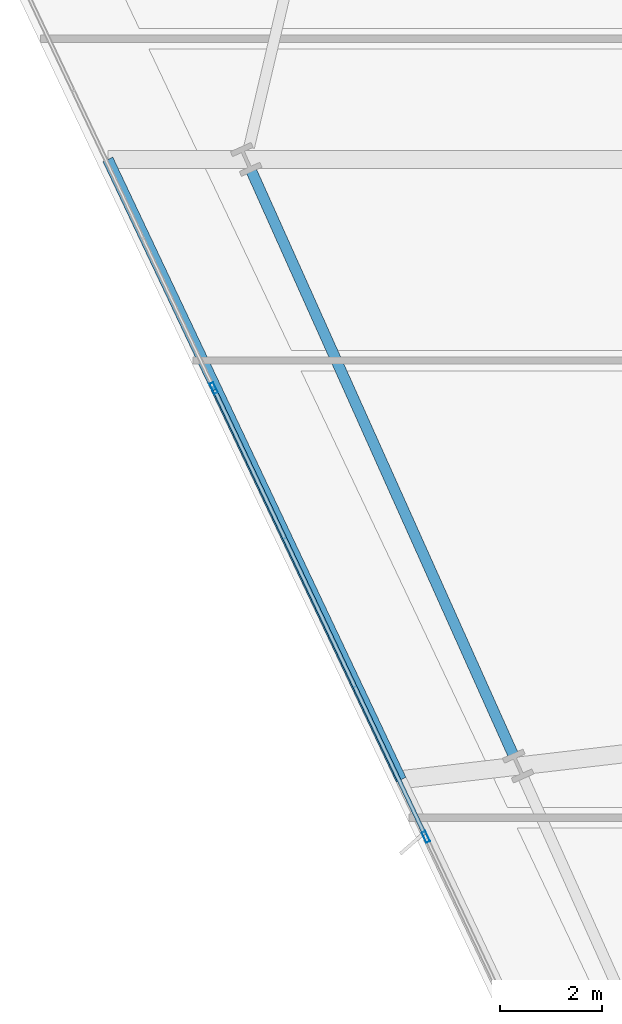
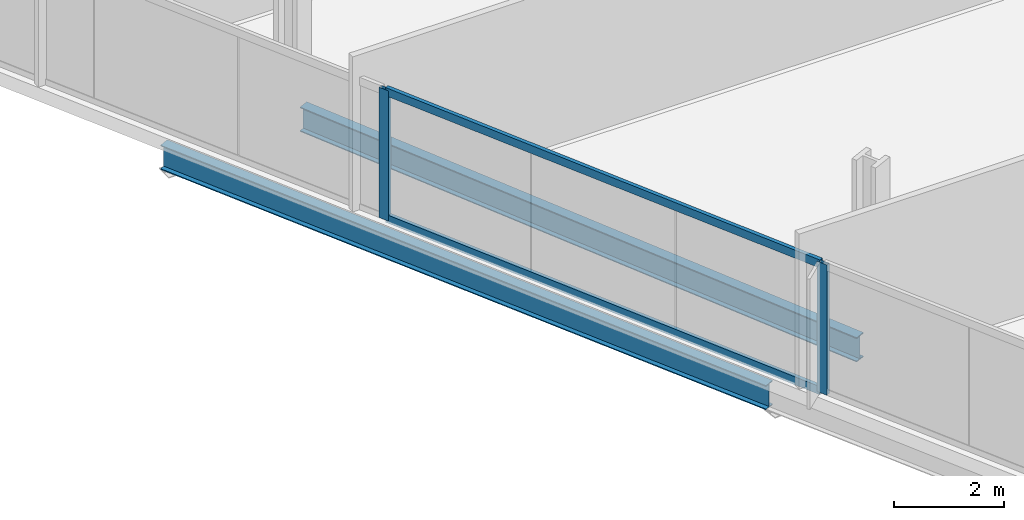
# One storey, part 5 of 34: 4 members, 2 beams, 1 element without a shape of its own.
"""IFC4 building model written with IfcOpenShell, lengths in metres."""

from ifc_helpers import new_model, si_unit, direction, frame, origin, origin_2d, place, context, subcontext, project, spatial, hollow_rectangle, i_section, extrude, material, material_profile, profile_set, type_object, element, aggregate, save


model = new_model("IFC4")

# Units and contexts
model_context = context("Model", 3, precision=1e-05, world=origin(), true_north=direction((0.0, 1.0)))
body_context = subcontext(model_context, "Body", "Model", "MODEL_VIEW")
ifc_project = project(units=[si_unit("LENGTHUNIT", "METRE"), si_unit("AREAUNIT", "SQUARE_METRE"), si_unit("VOLUMEUNIT", "CUBIC_METRE"), si_unit("PLANEANGLEUNIT", "RADIAN"), si_unit("MASSUNIT", "GRAM", prefix="KILO")], contexts=[model_context])

# Site, building, storey
site_placement = place(None, origin())
site = spatial("IfcSite", under=ifc_project, at=site_placement, CompositionType="ELEMENT")
building_placement = place(site_placement, origin())
building = spatial("IfcBuilding", under=site, at=building_placement, Name="Haldenkirk Collegiate Tower", CompositionType="ELEMENT")
storey_placement = place(building_placement, frame((0.0, 0.0, 112.949951171875)))
storey = spatial("IfcBuildingStorey", under=building, at=storey_placement, Name="L27", CompositionType="ELEMENT", Elevation=112.949951171875)

# Beams
ifc_material_1 = material(Name="Steel ASTM A992 Grade 50", Category="steel")
ifc_material_profile_1 = material_profile(ifc_material_1, i_section(OverallWidth=0.2119140625, OverallDepth=0.5439453125, WebThickness=0.01318359375, FlangeThickness=0.021240234375, at=origin_2d()), Name="W21X83")
ifc_profile_set_1 = profile_set([ifc_material_profile_1], Name="Steel ASTM A992 Grade 50")
beam_type = type_object("IfcBeamType", Name="BM-SPANDREL-W21X83", PredefinedType="SPANDREL", material=ifc_profile_set_1)
beam_1_placement = place(storey_placement, frame((9.418212890625, 28.212890625, -0.572021484375), z_axis=(0.409115233697, -0.912482726169, 0.0), x_axis=(0.912482726169, 0.409115233697, 0.0)))
element("IfcBeam", 1, at=beam_1_placement, inside=storey, type_object=beam_type, Name="L27 perimeter spandrel beam 14", PredefinedType="SPANDREL", context=body_context, shape_type="SweptSolid", body=[
    extrude(i_section(OverallWidth=0.2119140625, OverallDepth=0.5439453125, WebThickness=0.01318359375, FlangeThickness=0.021240234375, at=origin_2d()), origin(), (0.0, 0.0, 1.0), 12.524169921875),
])
beam_2_placement = place(storey_placement, frame((6.609619140625, 28.436767578125, -0.572021484375), z_axis=(0.427364219498, -0.904079545114, 0.0), x_axis=(0.904079545114, 0.427364219498, 0.0)))
element("IfcBeam", 2, at=beam_2_placement, inside=storey, type_object=beam_type, Name="L27 outer facade edge beam 4A", PredefinedType="SPANDREL", context=body_context, shape_type="SweptSolid", body=[
    extrude(i_section(OverallWidth=0.2119140625, OverallDepth=0.5439453125, WebThickness=0.01318359375, FlangeThickness=0.021240234375, at=origin_2d()), origin(), (0.0, 0.0, 1.0), 13.43115234375),
])

# Curtain wall, members
ifc_material_2 = material(Name="Anodised architectural bronze aluminium", Category="aluminium")
curtain_wall_type = type_object("IfcCurtainWallType", Name="CW-SYS1-CONVEX-LOW", PredefinedType="USERDEFINED", material=ifc_material_2)
curtain_wall_placement = place(storey_placement, origin())
curtain_wall = element("IfcCurtainWall", 3, at=curtain_wall_placement, inside=storey, type_object=curtain_wall_type, Name="L27 Lower tower convex bronze-framed unitised curtain wall", ObjectType="UNITISED CURTAIN WALL", PredefinedType="USERDEFINED")
ifc_material_profile_2 = material_profile(ifc_material_2, hollow_rectangle(XDim=0.080078125, YDim=0.219970703125, WallThickness=0.0048828125, at=origin_2d()), Name="CW-MUL-1A")
ifc_profile_set_2 = profile_set([ifc_material_profile_2], Name="Anodised architectural bronze aluminium")
member_type_1 = type_object("IfcMemberType", Name="CW-MUL-1A", PredefinedType="MULLION", material=ifc_profile_set_2)
member_1_placement = place(storey_placement, frame((12.83447265625, 15.174072265625, 0.0), z_axis=(0.0, 0.0, 1.0), x_axis=(-0.904081410273, -0.427360273772, 0.0)))
member_1 = element("IfcMember", 4, at=member_1_placement, type_object=member_type_1, Name="CW-1A mullion 3", PredefinedType="MULLION", context=body_context, shape_type="SweptSolid", body=[
    extrude(hollow_rectangle(XDim=0.080078125, YDim=0.219970703125, WallThickness=0.0048828125, at=origin_2d()), origin(), (0.0, 0.0, 1.0), 2.901123046875),
])
member_2_placement = place(storey_placement, frame((8.68115234375, 23.960693359375, 0.0), z_axis=(0.0, 0.0, 1.0), x_axis=(-0.904081410273, -0.427360273772, 0.0)))
member_2 = element("IfcMember", 5, at=member_2_placement, type_object=member_type_1, Name="CW-1A mullion 4", PredefinedType="MULLION", context=body_context, shape_type="SweptSolid", body=[
    extrude(hollow_rectangle(XDim=0.080078125, YDim=0.219970703125, WallThickness=0.0048828125, at=origin_2d()), origin(), (0.0, 0.0, 1.0), 2.901123046875),
])
ifc_material_profile_3 = material_profile(ifc_material_2, hollow_rectangle(XDim=0.080078125, YDim=0.179931640625, WallThickness=0.0048828125, at=origin_2d()), Name="CW-TRN-1A")
ifc_profile_set_3 = profile_set([ifc_material_profile_3], Name="Anodised architectural bronze aluminium")
member_type_2 = type_object("IfcMemberType", Name="CW-TRN-1A", PredefinedType="USERDEFINED", material=ifc_profile_set_3)
member_3_placement = place(storey_placement, frame((12.8173828125, 15.210205078125, 0.0400390625), z_axis=(-0.42734799837, 0.904087212767, 0.0), x_axis=(-0.904087212767, -0.42734799837, 0.0)))
member_3 = element("IfcMember", 6, at=member_3_placement, type_object=member_type_2, Name="CW-1A transom 3.1", ObjectType="TRANSOM", PredefinedType="USERDEFINED", context=body_context, shape_type="SweptSolid", body=[
    extrude(hollow_rectangle(XDim=0.080078125, YDim=0.179931640625, WallThickness=0.0048828125, at=origin_2d()), origin(), (0.0, 0.0, 1.0), 9.638916015625),
])
member_4_placement = place(storey_placement, frame((12.8173828125, 15.210205078125, 2.861083984375), z_axis=(-0.42734799837, 0.904087212767, 0.0), x_axis=(-0.904087212767, -0.42734799837, 0.0)))
member_4 = element("IfcMember", 7, at=member_4_placement, type_object=member_type_2, Name="CW-1A transom 3.2", ObjectType="TRANSOM", PredefinedType="USERDEFINED", context=body_context, shape_type="SweptSolid", body=[
    extrude(hollow_rectangle(XDim=0.080078125, YDim=0.179931640625, WallThickness=0.0048828125, at=origin_2d()), origin(), (0.0, 0.0, 1.0), 9.638916015625),
])
aggregate(curtain_wall, [member_1, member_2, member_3, member_4])

save(model, "model.ifc")
